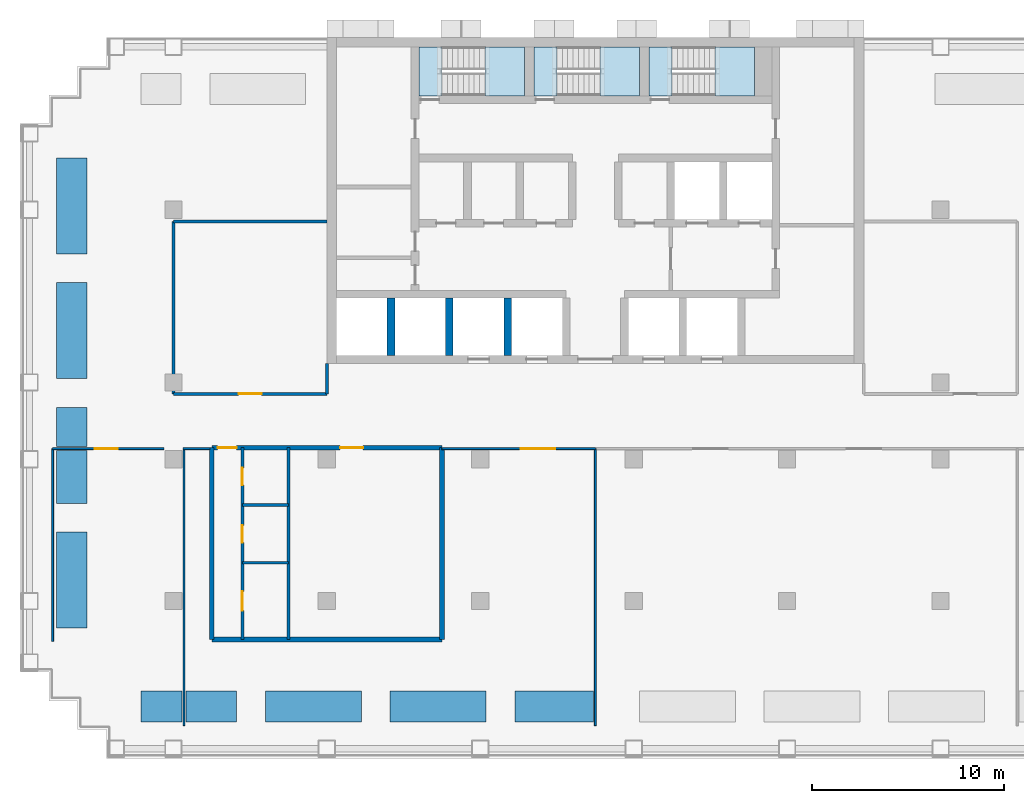
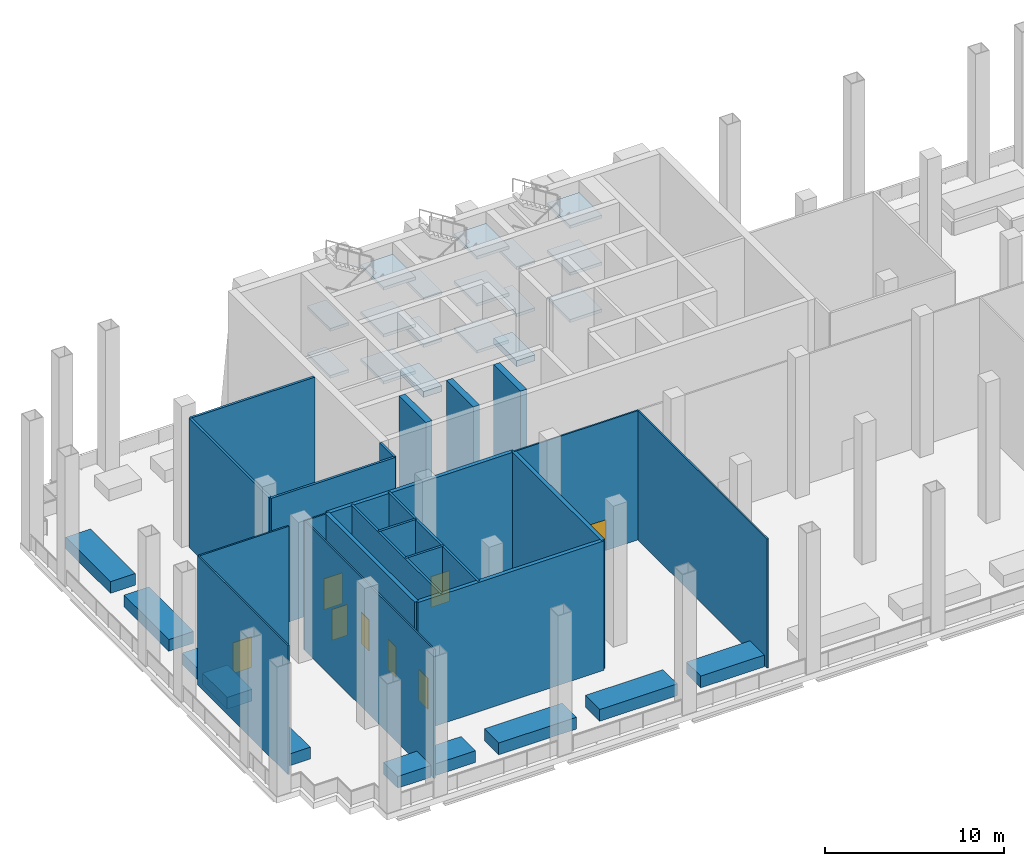
# One storey, part 2 of 9: 31 walls, 17 slabs, 8 doors, 8 openings, 3 elements without a shape of their own.
"""IFC4 building model written with IfcOpenShell, lengths in metres."""

import ifcopenshell
import ifcopenshell.guid

model = None  # the IFC model being written
_history = None  # IfcOwnerHistory: only IFC2X3 demands one
_inside = {}  # id of a spatial element -> (the spatial element, [elements in it])
_under = {}  # id of a project, library or spatial element -> (it, [spatial elements below it])
_declared = {}  # id of a project -> (the project, [libraries it declares])
_typed = {}  # id of a type object -> (the type object, [elements of that type])
_made_of = {}  # id of a material, layer set ... -> (it, [elements and type objects made of it])


def new_model(schema):
    """Start an empty IFC model of exactly this schema.

    Asked for "IFC4X3", IfcOpenShell would pick the latest addendum, in which some entities
    have other attributes; the version numbers below select the first issue.
    IFC2X3 requires an IfcOwnerHistory on every rooted entity: one is made here for all.
    """
    global model, _history
    if schema == "IFC4X3":
        model = ifcopenshell.file(schema_version=(4, 3, 0, 0))
    else:
        model = ifcopenshell.file(schema=schema)
    _inside.clear()
    _under.clear()
    _declared.clear()
    _typed.clear()
    _made_of.clear()
    _history = None
    if model.schema == "IFC2X3":
        org = make("IfcOrganization", Name="unknown")
        user = make(
            "IfcPersonAndOrganization",
            ThePerson=make("IfcPerson", FamilyName="unknown"),
            TheOrganization=org,
        )
        app = make(
            "IfcApplication",
            ApplicationDeveloper=org,
            Version="unknown",
            ApplicationFullName="unknown",
            ApplicationIdentifier="unknown",
        )
        _history = make(
            "IfcOwnerHistory",
            OwningUser=user,
            OwningApplication=app,
            ChangeAction="ADDED",
            CreationDate=0,
        )
    return model


def make(cls, **values):
    """One entity of the class cls with the attributes given. An attribute that is None is left unset."""
    return model.create_entity(
        cls, **{name: value for name, value in values.items() if value is not None}
    )


def rooted(cls, **values):
    """An entity with a GlobalId (a new one), such as an element, a storey or a relation."""
    return make(cls, GlobalId=ifcopenshell.guid.new(), OwnerHistory=_history, **values)


def si_unit(unit_type, name, prefix=None):
    """IfcSIUnit, for example si_unit("LENGTHUNIT", "METRE", prefix="MILLI")."""
    return make("IfcSIUnit", UnitType=unit_type, Prefix=prefix, Name=name)


def assignment(units):
    """IfcUnitAssignment: the units of a project."""
    return None if units is None else make("IfcUnitAssignment", Units=units)


def point(xyz):
    """IfcCartesianPoint."""
    return None if xyz is None else make("IfcCartesianPoint", Coordinates=xyz)


def direction(xyz):
    """IfcDirection."""
    return None if xyz is None else make("IfcDirection", DirectionRatios=xyz)


def frame(location, z_axis=None, x_axis=None):
    """IfcAxis2Placement3D, a coordinate frame: its origin and axes. An axis left out is left unset."""
    return make(
        "IfcAxis2Placement3D",
        Location=point(location),
        Axis=direction(z_axis),
        RefDirection=direction(x_axis),
    )


def frame_2d(location, x_axis=None):
    """IfcAxis2Placement2D, a coordinate frame in the plane: its origin and x axis."""
    return make(
        "IfcAxis2Placement2D", Location=point(location), RefDirection=direction(x_axis)
    )


def origin():
    """The frame at (0, 0, 0) with its axes left unset."""
    return frame((0.0, 0.0, 0.0))


def place(relative_to, where):
    """IfcLocalPlacement: puts the frame where relative to a parent placement (None: the world)."""
    return make(
        "IfcLocalPlacement", PlacementRelTo=relative_to, RelativePlacement=where
    )


def context(
    kind, dimensions, precision=None, world=None, true_north=None, identifier=None
):
    """IfcGeometricRepresentationContext, for example the 3D "Model" context."""
    return make(
        "IfcGeometricRepresentationContext",
        ContextIdentifier=identifier,
        ContextType=kind,
        CoordinateSpaceDimension=dimensions,
        Precision=precision,
        WorldCoordinateSystem=world,
        TrueNorth=true_north,
    )


def subcontext(parent, identifier, kind, view, scale=None):
    """IfcGeometricRepresentationSubContext, for example "Body" below "Model"."""
    return make(
        "IfcGeometricRepresentationSubContext",
        ContextIdentifier=identifier,
        ContextType=kind,
        ParentContext=parent,
        TargetScale=scale,
        TargetView=view,
    )


def project(units=None, contexts=None):
    """IfcProject with its units and contexts."""
    return rooted(
        "IfcProject",
        Name="project",
        RepresentationContexts=contexts,
        UnitsInContext=assignment(units),
    )


def spatial(cls, under=None, at=None, **own):
    """A site, building, storey or space (cls), placed at a placement, below another one or the project."""
    s = rooted(cls, ObjectPlacement=at, **own)
    if under is not None:
        _under.setdefault(under.id(), (under, []))[1].append(s)
    return s


def polyline(points):
    """IfcPolyline through the points."""
    return make("IfcPolyline", Points=[point(p) for p in points])


def profile(cls, at=None, kind="AREA", **sizes):
    """A parametric profile (cls). Its sizes go by their IFC names, for example OverallWidth=200.0."""
    return make(cls, ProfileType=kind, Position=at, **sizes)


def rectangle(**sizes):
    """IfcRectangleProfileDef."""
    return profile("IfcRectangleProfileDef", **sizes)


def outline(outer, holes=None, kind="AREA"):
    """IfcArbitraryClosedProfileDef: a profile drawn as a closed curve; with holes, ...WithVoids."""
    if holes is None:
        return make("IfcArbitraryClosedProfileDef", ProfileType=kind, OuterCurve=outer)
    return make(
        "IfcArbitraryProfileDefWithVoids",
        ProfileType=kind,
        OuterCurve=outer,
        InnerCurves=holes,
    )


def extrude(swept, where, along, depth):
    """IfcExtrudedAreaSolid: the profile swept, set in the frame where, extruded along a direction by depth."""
    return make(
        "IfcExtrudedAreaSolid",
        SweptArea=swept,
        Position=where,
        ExtrudedDirection=direction(along),
        Depth=depth,
    )


def shape(context_of_items, identifier, shape_type, items):
    """IfcShapeRepresentation: the items that make up one representation, for example the "Body"."""
    return make(
        "IfcShapeRepresentation",
        ContextOfItems=context_of_items,
        RepresentationIdentifier=identifier,
        RepresentationType=shape_type,
        Items=items,
    )


def material(Name=None, Category=None):
    """IfcMaterial."""
    return make("IfcMaterial", Name=Name, Category=Category)


def layer(
    of_material, thickness, ventilated=None, Name=None, Category=None, Priority=None
):
    """IfcMaterialLayer: one layer of a wall or slab, of a material (None: an air gap)."""
    return make(
        "IfcMaterialLayer",
        Material=of_material,
        LayerThickness=thickness,
        IsVentilated=ventilated,
        Name=Name,
        Category=Category,
        Priority=Priority,
    )


def layer_set(layers, Name=None):
    """IfcMaterialLayerSet."""
    return make("IfcMaterialLayerSet", MaterialLayers=layers, LayerSetName=Name)


def made_of(thing, what):
    """Note that an element or type object is made of a material, layer set ...; save() writes the relation."""
    if what is not None:
        _made_of.setdefault(what.id(), (what, []))[1].append(thing)
    return thing


def type_object(cls, material=None, **own):
    """A type object (cls), such as IfcWallType, which elements share."""
    return made_of(rooted(cls, **own), material)


def element(
    cls,
    number,
    at=None,
    inside=None,
    cuts=None,
    type_object=None,
    material=None,
    context=None,
    identifier="Body",
    shape_type=None,
    held_by="IfcProductDefinitionShape",
    body=None,
    shapes=None,
    **own,
):
    """One element of the class cls, such as IfcWall. Its Tag is "e" and its number.

    at: its placement. inside: the storey or other place that contains it. cuts: it is an
    opening in that element (IfcRelVoidsElement). A single representation is given by context,
    identifier, shape_type and body (its items); several are given by shapes. held_by: the class
    of the entity that holds the representations. save() writes the other relations.
    """
    e = rooted(cls, Tag="e%d" % number, ObjectPlacement=at, **own)
    if body is not None:
        shapes = [shape(context, identifier, shape_type, body)]
    if shapes is not None:
        e.Representation = make(held_by, Representations=shapes)
    if inside is not None:
        _inside.setdefault(inside.id(), (inside, []))[1].append(e)
    if cuts is not None:
        rooted(
            "IfcRelVoidsElement", RelatingBuildingElement=cuts, RelatedOpeningElement=e
        )
    if type_object is not None:
        _typed.setdefault(type_object.id(), (type_object, []))[1].append(e)
    return made_of(e, material)


def fill(opening, filler):
    """IfcRelFillsElement: the door or window that sits in an opening."""
    return rooted(
        "IfcRelFillsElement",
        RelatingOpeningElement=opening,
        RelatedBuildingElement=filler,
    )


def aggregate(whole, parts):
    """IfcRelAggregates: a whole, such as a stair, and the parts it consists of."""
    return rooted("IfcRelAggregates", RelatingObject=whole, RelatedObjects=parts)


def save(model, path):
    """Write the relations noted so far, then the file.

    IfcRelAggregates (storeys below a building ...), IfcRelContainedInSpatialStructure (elements
    in a storey), IfcRelDefinesByType, IfcRelAssociatesMaterial and IfcRelDeclares: one each for
    every whole, place, type object, material and project.
    """
    for whole, parts in _under.values():
        aggregate(whole, parts)
    for where, things in _inside.values():
        rooted(
            "IfcRelContainedInSpatialStructure",
            RelatedElements=things,
            RelatingStructure=where,
        )
    for kind, things in _typed.values():
        rooted("IfcRelDefinesByType", RelatedObjects=things, RelatingType=kind)
    for what, things in _made_of.values():
        rooted("IfcRelAssociatesMaterial", RelatedObjects=things, RelatingMaterial=what)
    for by, libraries in _declared.values():
        rooted("IfcRelDeclares", RelatingContext=by, RelatedDefinitions=libraries)
    model.write(path)


model = new_model("IFC4")

# Units and contexts
model_context = context("Model", 3, precision=1e-05, world=origin(), true_north=direction((0.0, 1.0)))
body_context = subcontext(model_context, "Body", "Model", "MODEL_VIEW")
ifc_project = project(units=[si_unit("LENGTHUNIT", "METRE"), si_unit("AREAUNIT", "SQUARE_METRE"), si_unit("VOLUMEUNIT", "CUBIC_METRE"), si_unit("PLANEANGLEUNIT", "RADIAN"), si_unit("MASSUNIT", "GRAM", prefix="KILO")], contexts=[model_context])

# Site, building, storey
site_placement = place(None, origin())
site = spatial("IfcSite", under=ifc_project, at=site_placement, CompositionType="ELEMENT")
building_placement = place(site_placement, origin())
building = spatial("IfcBuilding", under=site, at=building_placement, Name="Vidyagriha Tower", CompositionType="ELEMENT")
storey_placement = place(building_placement, frame((0.0, 0.0, 106.300048828125)))
storey = spatial("IfcBuildingStorey", under=building, at=storey_placement, Name="L28", CompositionType="ELEMENT", Elevation=106.300048828125)

# Slabs
ifc_material_1 = material(Name="Concrete C40/50", Category="concrete")
ifc_layer_1 = layer(ifc_material_1, 0.39990234375)
ifc_layer_set_1 = layer_set([ifc_layer_1], Name="Concrete C40/50")
slab_type_1 = type_object("IfcSlabType", Name="Exit stair floor landing 400 mm", PredefinedType="LANDING", material=ifc_layer_set_1)
slab_1_placement = place(storey_placement, frame((0.0, 0.0, -0.400146484375)))
element("IfcSlab", 1, at=slab_1_placement, inside=storey, type_object=slab_type_1, Name="ST2 floor landing L28", PredefinedType="LANDING", context=body_context, shape_type="SweptSolid", body=[
    extrude(outline(polyline([(-3.199951171875, 16.949951171875), (-2.0, 16.949951171875), (-2.0, 19.5), (-3.199951171875, 19.5), (-3.199951171875, 16.949951171875)])), origin(), (0.0, 0.0, 1.0), 0.400146484375),
])
slab_2_placement = place(storey_placement, frame((0.0, 0.0, -0.400146484375)))
element("IfcSlab", 2, at=slab_2_placement, inside=storey, type_object=slab_type_1, Name="ST3 floor landing L28", PredefinedType="LANDING", context=body_context, shape_type="SweptSolid", body=[
    extrude(outline(polyline([(2.800048828125, 16.949951171875), (4.0, 16.949951171875), (4.0, 19.5), (2.800048828125, 19.5), (2.800048828125, 16.949951171875)])), origin(), (0.0, 0.0, 1.0), 0.400146484375),
])

# Stair, slabs
ifc_material_2 = material(Name="Concrete C40/50", Category="concrete")
stair_type = type_object("IfcStairType", Name="Exit stair, half-turn, precast flights", PredefinedType="HALF_TURN_STAIR", material=ifc_material_2)
stair_1_placement = place(storey_placement, origin())
stair_1 = element("IfcStair", 3, at=stair_1_placement, inside=storey, type_object=stair_type, Name="L28 Exit Stair ST1", PredefinedType="HALF_TURN_STAIR")
ifc_material_3 = material(Name="Concrete C40/50", Category="concrete")
ifc_layer_2 = layer(ifc_material_3, 0.199951171875)
ifc_layer_set_2 = layer_set([ifc_layer_2], Name="Concrete C40/50")
slab_type_2 = type_object("IfcSlabType", Name="Exit stair landing 200 mm", PredefinedType="LANDING", material=ifc_layer_set_2)
slab_3_placement = place(storey_placement, frame((0.0, 0.0, 1.39990234375)))
slab_3 = element("IfcSlab", 4, at=slab_3_placement, type_object=slab_type_2, Name="ST1 landing 1", PredefinedType="LANDING", context=body_context, shape_type="SweptSolid", body=[
    extrude(outline(polyline([(-5.760009765625, 16.949951171875), (-3.699951171875, 16.949951171875), (-3.699951171875, 19.5), (-5.760009765625, 19.5), (-5.760009765625, 16.949951171875)])), origin(), (0.0, 0.0, 1.0), 0.199951171875),
])
slab_4_placement = place(storey_placement, frame((0.0, 0.0, 3.0)))
slab_4 = element("IfcSlab", 5, at=slab_4_placement, type_object=slab_type_2, Name="ST1 landing 2", PredefinedType="LANDING", context=body_context, shape_type="SweptSolid", body=[
    extrude(outline(polyline([(-9.199951171875, 16.949951171875), (-8.0, 16.949951171875), (-8.0, 19.5), (-9.199951171875, 19.5), (-9.199951171875, 16.949951171875)])), origin(), (0.0, 0.0, 1.0), 0.199951171875),
])
slab_5_placement = place(storey_placement, frame((0.0, 0.0, 4.599853515625)))
slab_5 = element("IfcSlab", 6, at=slab_5_placement, type_object=slab_type_2, Name="ST1 landing 3", PredefinedType="LANDING", context=body_context, shape_type="SweptSolid", body=[
    extrude(outline(polyline([(-5.760009765625, 16.949951171875), (-3.699951171875, 16.949951171875), (-3.699951171875, 19.5), (-5.760009765625, 19.5), (-5.760009765625, 16.949951171875)])), origin(), (0.0, 0.0, 1.0), 0.2001953125),
])
slab_6_placement = place(storey_placement, frame((0.0, 0.0, 6.199951171875)))
slab_6 = element("IfcSlab", 7, at=slab_6_placement, type_object=slab_type_2, Name="ST1 landing 4", PredefinedType="LANDING", context=body_context, shape_type="SweptSolid", body=[
    extrude(outline(polyline([(-9.199951171875, 16.949951171875), (-8.0, 16.949951171875), (-8.0, 19.5), (-9.199951171875, 19.5), (-9.199951171875, 16.949951171875)])), origin(), (0.0, 0.0, 1.0), 0.199951171875),
])
slab_7_placement = place(storey_placement, frame((0.0, 0.0, 7.800048828125)))
slab_7 = element("IfcSlab", 8, at=slab_7_placement, type_object=slab_type_2, Name="ST1 landing 5", PredefinedType="LANDING", context=body_context, shape_type="SweptSolid", body=[
    extrude(outline(polyline([(-5.760009765625, 16.949951171875), (-3.699951171875, 16.949951171875), (-3.699951171875, 19.5), (-5.760009765625, 19.5), (-5.760009765625, 16.949951171875)])), origin(), (0.0, 0.0, 1.0), 0.199951171875),
])
aggregate(stair_1, [slab_3, slab_4, slab_5, slab_6, slab_7])

stair_2_placement = place(storey_placement, origin())
stair_2 = element("IfcStair", 9, at=stair_2_placement, inside=storey, type_object=stair_type, Name="L28 Exit Stair ST2", PredefinedType="HALF_TURN_STAIR")
slab_8_placement = place(storey_placement, frame((0.0, 0.0, 1.39990234375)))
slab_8 = element("IfcSlab", 10, at=slab_8_placement, type_object=slab_type_2, Name="ST2 landing 1", PredefinedType="LANDING", context=body_context, shape_type="SweptSolid", body=[
    extrude(outline(polyline([(0.239990234375, 16.949951171875), (2.300048828125, 16.949951171875), (2.300048828125, 19.5), (0.239990234375, 19.5), (0.239990234375, 16.949951171875)])), origin(), (0.0, 0.0, 1.0), 0.199951171875),
])
slab_9_placement = place(storey_placement, frame((0.0, 0.0, 3.0)))
slab_9 = element("IfcSlab", 11, at=slab_9_placement, type_object=slab_type_2, Name="ST2 landing 2", PredefinedType="LANDING", context=body_context, shape_type="SweptSolid", body=[
    extrude(outline(polyline([(-3.199951171875, 16.949951171875), (-2.0, 16.949951171875), (-2.0, 19.5), (-3.199951171875, 19.5), (-3.199951171875, 16.949951171875)])), origin(), (0.0, 0.0, 1.0), 0.199951171875),
])
slab_10_placement = place(storey_placement, frame((0.0, 0.0, 4.599853515625)))
slab_10 = element("IfcSlab", 12, at=slab_10_placement, type_object=slab_type_2, Name="ST2 landing 3", PredefinedType="LANDING", context=body_context, shape_type="SweptSolid", body=[
    extrude(outline(polyline([(0.239990234375, 16.949951171875), (2.300048828125, 16.949951171875), (2.300048828125, 19.5), (0.239990234375, 19.5), (0.239990234375, 16.949951171875)])), origin(), (0.0, 0.0, 1.0), 0.2001953125),
])
slab_11_placement = place(storey_placement, frame((0.0, 0.0, 6.199951171875)))
slab_11 = element("IfcSlab", 13, at=slab_11_placement, type_object=slab_type_2, Name="ST2 landing 4", PredefinedType="LANDING", context=body_context, shape_type="SweptSolid", body=[
    extrude(outline(polyline([(-3.199951171875, 16.949951171875), (-2.0, 16.949951171875), (-2.0, 19.5), (-3.199951171875, 19.5), (-3.199951171875, 16.949951171875)])), origin(), (0.0, 0.0, 1.0), 0.199951171875),
])
slab_12_placement = place(storey_placement, frame((0.0, 0.0, 7.800048828125)))
slab_12 = element("IfcSlab", 14, at=slab_12_placement, type_object=slab_type_2, Name="ST2 landing 5", PredefinedType="LANDING", context=body_context, shape_type="SweptSolid", body=[
    extrude(outline(polyline([(0.239990234375, 16.949951171875), (2.300048828125, 16.949951171875), (2.300048828125, 19.5), (0.239990234375, 19.5), (0.239990234375, 16.949951171875)])), origin(), (0.0, 0.0, 1.0), 0.199951171875),
])
aggregate(stair_2, [slab_8, slab_9, slab_10, slab_11, slab_12])

stair_3_placement = place(storey_placement, origin())
stair_3 = element("IfcStair", 15, at=stair_3_placement, inside=storey, type_object=stair_type, Name="L28 Exit Stair ST3", PredefinedType="HALF_TURN_STAIR")
slab_13_placement = place(storey_placement, frame((0.0, 0.0, 1.39990234375)))
slab_13 = element("IfcSlab", 16, at=slab_13_placement, type_object=slab_type_2, Name="ST3 landing 1", PredefinedType="LANDING", context=body_context, shape_type="SweptSolid", body=[
    extrude(outline(polyline([(6.239990234375, 16.949951171875), (8.300048828125, 16.949951171875), (8.300048828125, 19.5), (6.239990234375, 19.5), (6.239990234375, 16.949951171875)])), origin(), (0.0, 0.0, 1.0), 0.199951171875),
])
slab_14_placement = place(storey_placement, frame((0.0, 0.0, 3.0)))
slab_14 = element("IfcSlab", 17, at=slab_14_placement, type_object=slab_type_2, Name="ST3 landing 2", PredefinedType="LANDING", context=body_context, shape_type="SweptSolid", body=[
    extrude(outline(polyline([(2.800048828125, 16.949951171875), (4.0, 16.949951171875), (4.0, 19.5), (2.800048828125, 19.5), (2.800048828125, 16.949951171875)])), origin(), (0.0, 0.0, 1.0), 0.199951171875),
])
slab_15_placement = place(storey_placement, frame((0.0, 0.0, 4.599853515625)))
slab_15 = element("IfcSlab", 18, at=slab_15_placement, type_object=slab_type_2, Name="ST3 landing 3", PredefinedType="LANDING", context=body_context, shape_type="SweptSolid", body=[
    extrude(outline(polyline([(6.239990234375, 16.949951171875), (8.300048828125, 16.949951171875), (8.300048828125, 19.5), (6.239990234375, 19.5), (6.239990234375, 16.949951171875)])), origin(), (0.0, 0.0, 1.0), 0.2001953125),
])
slab_16_placement = place(storey_placement, frame((0.0, 0.0, 6.199951171875)))
slab_16 = element("IfcSlab", 19, at=slab_16_placement, type_object=slab_type_2, Name="ST3 landing 4", PredefinedType="LANDING", context=body_context, shape_type="SweptSolid", body=[
    extrude(outline(polyline([(2.800048828125, 16.949951171875), (4.0, 16.949951171875), (4.0, 19.5), (2.800048828125, 19.5), (2.800048828125, 16.949951171875)])), origin(), (0.0, 0.0, 1.0), 0.199951171875),
])
slab_17_placement = place(storey_placement, frame((0.0, 0.0, 7.800048828125)))
slab_17 = element("IfcSlab", 20, at=slab_17_placement, type_object=slab_type_2, Name="ST3 landing 5", PredefinedType="LANDING", context=body_context, shape_type="SweptSolid", body=[
    extrude(outline(polyline([(6.239990234375, 16.949951171875), (8.300048828125, 16.949951171875), (8.300048828125, 19.5), (6.239990234375, 19.5), (6.239990234375, 16.949951171875)])), origin(), (0.0, 0.0, 1.0), 0.199951171875),
])
aggregate(stair_3, [slab_13, slab_14, slab_15, slab_16, slab_17])

# Walls
ifc_material_4 = material(Name="Precast concrete C40/50 with brick facing", Category="concrete")
ifc_layer_3 = layer(ifc_material_4, 1.60009765625)
ifc_layer_set_3 = layer_set([ifc_layer_3], Name="Precast concrete C40/50 with brick facing")
wall_type_1 = type_object("IfcWallType", Name="Brick planter box 1600", PredefinedType="STANDARD", material=ifc_layer_set_3)
for number, where, z_axis, x_axis, name in (
    (21, (-27.300048828125, 13.699951171875, 0.0), (0.0, 0.0, 1.0), (0.0, -1.0, 0.0), "PLANTER L28 6"),
    (22, (-27.300048828125, 7.199951171875, 0.0), (0.0, 0.0, 1.0), (0.0, -1.0, 0.0), "PLANTER L28 7"),
    (23, (-27.300048828125, -5.800048828125, 0.0), (0.0, 0.0, 1.0), (0.0, -1.0, 0.0), "PLANTER L28 9"),
):
    element("IfcWall", number, at=place(storey_placement, frame(where, z_axis=z_axis, x_axis=x_axis)), inside=storey, type_object=wall_type_1, Name=name, PredefinedType="STANDARD", context=body_context, shape_type="SweptSolid", body=[
        extrude(rectangle(XDim=5.0, YDim=1.60009765625, at=frame_2d((2.5, 0.0))), origin(), (0.0, 0.0, 1.0), 0.800048828125),
    ])
for number, where, name in (
    (24, (-17.199951171875, -14.89990234375, 0.0), "PLANTER L28 11"),
    (25, (-10.699951171875, -14.89990234375, 0.0), "PLANTER L28 12"),
):
    element("IfcWall", number, at=place(storey_placement, frame(where)), inside=storey, type_object=wall_type_1, Name=name, PredefinedType="STANDARD", context=body_context, shape_type="SweptSolid", body=[
        extrude(rectangle(XDim=5.0, YDim=1.60009765625, at=frame_2d((2.5, 0.0))), origin(), (0.0, 0.0, 1.0), 0.800048828125),
    ])
wall_1_placement = place(storey_placement, frame((-27.300048828125, 0.699951171875, 0.0), z_axis=(0.0, 0.0, 1.0), x_axis=(0.0, -1.0, 0.0)))
element("IfcWall", 26, at=wall_1_placement, inside=storey, type_object=wall_type_1, Name="PLANTER L28 8", PredefinedType="STANDARD", context=body_context, shape_type="SweptSolid", body=[
    extrude(rectangle(XDim=2.050048828125, YDim=1.60009765625, at=frame_2d((1.02490234375, 0.0))), origin(), (0.0, 0.0, 1.0), 0.800048828125),
])
wall_2_placement = place(storey_placement, frame((-27.300048828125, -1.550048828125, 0.0), z_axis=(0.0, 0.0, 1.0), x_axis=(0.0, -1.0, 0.0)))
element("IfcWall", 27, at=wall_2_placement, inside=storey, type_object=wall_type_1, Name="PLANTER L28 8", PredefinedType="STANDARD", context=body_context, shape_type="SweptSolid", body=[
    extrude(rectangle(XDim=2.75, YDim=1.60009765625, at=frame_2d((1.375, 0.0))), origin(), (0.0, 0.0, 1.0), 0.800048828125),
])
wall_3_placement = place(storey_placement, frame((-23.699951171875, -14.89990234375, 0.0)))
element("IfcWall", 28, at=wall_3_placement, inside=storey, type_object=wall_type_1, Name="PLANTER L28 10", PredefinedType="STANDARD", context=body_context, shape_type="SweptSolid", body=[
    extrude(rectangle(XDim=2.14990234375, YDim=1.60009765625, at=frame_2d((1.074951171875, 0.0))), origin(), (0.0, 0.0, 1.0), 0.800048828125),
])
wall_4_placement = place(storey_placement, frame((-21.35009765625, -14.89990234375, 0.0)))
element("IfcWall", 29, at=wall_4_placement, inside=storey, type_object=wall_type_1, Name="PLANTER L28 10", PredefinedType="STANDARD", context=body_context, shape_type="SweptSolid", body=[
    extrude(rectangle(XDim=2.650146484375, YDim=1.60009765625, at=frame_2d((1.3251953125, 0.0))), origin(), (0.0, 0.0, 1.0), 0.800048828125),
])
wall_5_placement = place(storey_placement, frame((-4.199951171875, -14.89990234375, 0.0)))
element("IfcWall", 30, at=wall_5_placement, inside=storey, type_object=wall_type_1, Name="PLANTER L28 13", PredefinedType="STANDARD", context=body_context, shape_type="SweptSolid", body=[
    extrude(rectangle(XDim=4.099853515625, YDim=1.60009765625, at=frame_2d((2.0498046875, 0.0))), origin(), (0.0, 0.0, 1.0), 0.800048828125),
])
ifc_material_5 = material(Name="Concrete C60/75", Category="concrete")
ifc_layer_4 = layer(ifc_material_5, 0.39990234375)
ifc_layer_set_4 = layer_set([ifc_layer_4], Name="Concrete C60/75")
wall_type_2 = type_object("IfcWallType", Name="Core shear wall 400 mm", PredefinedType="SHEAR", material=ifc_layer_set_4)
for number, where, z_axis, x_axis, name in (
    (31, (-10.655517578125, 3.39990234375, 0.0), (0.0, 0.0, 1.0), (0.0, 1.0, 0.0), "Core bay wall S1"),
    (32, (-7.611083984375, 3.39990234375, 0.0), (0.0, 0.0, 1.0), (0.0, 1.0, 0.0), "Core bay wall S2"),
    (33, (-4.566650390625, 3.39990234375, 0.0), (0.0, 0.0, 1.0), (0.0, 1.0, 0.0), "Core bay wall S3"),
):
    element("IfcWall", number, at=place(storey_placement, frame(where, z_axis=z_axis, x_axis=x_axis)), inside=storey, type_object=wall_type_2, Name=name, PredefinedType="SHEAR", context=body_context, shape_type="SweptSolid", body=[
        extrude(rectangle(XDim=3.0, YDim=0.39990234375, at=frame_2d((1.5, 0.0))), origin(), (0.0, 0.0, 1.0), 8.800048828125),
    ])
ifc_material_6 = material(Name="Fired clay brick masonry", Category="masonry")
ifc_layer_5 = layer(ifc_material_6, 0.25)
ifc_layer_set_5 = layer_set([ifc_layer_5], Name="Fired clay brick masonry")
wall_type_3 = type_object("IfcWallType", Name="Fired clay brick corridor wall 250", PredefinedType="PARTITIONING", material=ifc_layer_set_5)
wall_6_placement = place(storey_placement, frame((-20.0, -11.39990234375, 0.0)))
element("IfcWall", 34, at=wall_6_placement, inside=storey, type_object=wall_type_3, Name="Wall all-L28-w001", PredefinedType="PARTITIONING", context=body_context, shape_type="SweptSolid", body=[
    extrude(rectangle(XDim=12.0, YDim=0.25, at=frame_2d((6.0, 0.0))), origin(), (0.0, 0.0, 1.0), 8.800048828125),
])
for number, where, z_axis, x_axis, name in (
    (35, (-20.0, -1.39990234375, 0.0), (0.0, 0.0, 1.0), (0.0, -1.0, 0.0), "Wall all-L28-w002"),
    (36, (-8.0, -11.39990234375, 0.0), (0.0, 0.0, 1.0), (0.0, 1.0, 0.0), "Wall all-L28-w003"),
):
    element("IfcWall", number, at=place(storey_placement, frame(where, z_axis=z_axis, x_axis=x_axis)), inside=storey, type_object=wall_type_3, Name=name, PredefinedType="PARTITIONING", context=body_context, shape_type="SweptSolid", body=[
        extrude(rectangle(XDim=10.0, YDim=0.25, at=frame_2d((5.0, 0.0))), origin(), (0.0, 0.0, 1.0), 8.800048828125),
    ])

# Wall, openings, doors
wall_7_placement = place(storey_placement, frame((-8.0, -1.39990234375, 0.0), z_axis=(0.0, 0.0, 1.0), x_axis=(-1.0, 0.0, 0.0)))
wall_7 = element("IfcWall", 37, at=wall_7_placement, inside=storey, type_object=wall_type_3, Name="Wall all-L28-w004", PredefinedType="PARTITIONING", context=body_context, shape_type="SweptSolid", body=[
    extrude(rectangle(XDim=12.0, YDim=0.25, at=frame_2d((6.0, 0.0))), origin(), (0.0, 0.0, 1.0), 8.800048828125),
])
opening_1_placement = place(wall_7_placement, frame((10.699951171875, 0.0, 0.0)))
opening_1 = element("IfcOpeningElement", 38, at=opening_1_placement, cuts=wall_7, Name="Opening D28-15", PredefinedType="OPENING", context=body_context, shape_type="SweptSolid", body=[
    extrude(rectangle(XDim=1.0, YDim=2.10009765625, at=frame_2d((0.5, 1.050048828125))), frame((0.0, 0.135009765625, 0.0), z_axis=(0.0, -1.0, 0.0), x_axis=(1.0, 0.0, 0.0)), (0.0, 0.0, 1.0), 0.27001953125),
])
opening_2_placement = place(wall_7_placement, frame((4.111083984375, 0.0, 0.0)))
opening_2 = element("IfcOpeningElement", 39, at=opening_2_placement, cuts=wall_7, Name="Opening D28-16", PredefinedType="OPENING", context=body_context, shape_type="SweptSolid", body=[
    extrude(rectangle(XDim=1.199951171875, YDim=2.10009765625, at=frame_2d((0.60009765625, 1.050048828125))), frame((0.0, 0.135009765625, 0.0), z_axis=(0.0, -1.0, 0.0), x_axis=(1.0, 0.0, 0.0)), (0.0, 0.0, 1.0), 0.27001953125),
])
ifc_material_7 = material(Name="Timber door leaf", Category="wood")
door_type_1 = type_object("IfcDoorType", Name="Bathroom door 1000x2100", OperationType="NOTDEFINED", PredefinedType="DOOR", material=ifc_material_7)
door_1_placement = place(opening_1_placement, origin())
door_1 = element("IfcDoor", 40, at=door_1_placement, inside=storey, type_object=door_type_1, Name="Door D28-15", OperationType="SINGLE_SWING_LEFT", OverallHeight=2.10009765625, OverallWidth=1.0, PredefinedType="DOOR", context=body_context, shape_type="SweptSolid", body=[
    extrude(rectangle(XDim=1.0, YDim=2.10009765625, at=frame_2d((0.5, 1.050048828125))), frame((0.0, 0.02490234375, 0.0), z_axis=(0.0, -1.0, 0.0), x_axis=(1.0, 0.0, 0.0)), (0.0, 0.0, 1.0), 0.050048828125),
])
fill(opening_1, door_1)
ifc_material_8 = material(Name="Timber door leaf", Category="wood")
door_type_2 = type_object("IfcDoorType", Name="Room door 1200x2100", OperationType="NOTDEFINED", PredefinedType="DOOR", material=ifc_material_8)
door_2_placement = place(opening_2_placement, origin())
door_2 = element("IfcDoor", 41, at=door_2_placement, inside=storey, type_object=door_type_2, Name="Door D28-16", OperationType="SINGLE_SWING_RIGHT", OverallHeight=2.10009765625, OverallWidth=1.199951171875, PredefinedType="DOOR", context=body_context, shape_type="SweptSolid", body=[
    extrude(rectangle(XDim=1.199951171875, YDim=2.10009765625, at=frame_2d((0.60009765625, 1.050048828125))), frame((0.0, 0.02490234375, 0.0), z_axis=(0.0, -1.0, 0.0), x_axis=(1.0, 0.0, 0.0)), (0.0, 0.0, 1.0), 0.050048828125),
])
fill(opening_2, door_2)

# Wall, opening, door
ifc_material_9 = material(Name="Glass clear low-iron", Category="glass")
ifc_layer_6 = layer(ifc_material_9, 0.10009765625)
ifc_layer_set_6 = layer_set([ifc_layer_6], Name="Glass clear low-iron")
wall_type_4 = type_object("IfcWallType", Name="Glazed partition 100", PredefinedType="PARTITIONING", material=ifc_layer_set_6)
wall_8_placement = place(storey_placement, frame((-28.300048828125, -1.449951171875, 0.0)))
wall_8 = element("IfcWall", 42, at=wall_8_placement, inside=storey, type_object=wall_type_4, Name="Wall all-L28-w024", PredefinedType="PARTITIONING", context=body_context, shape_type="SweptSolid", body=[
    extrude(rectangle(XDim=5.800048828125, YDim=0.10009765625, at=frame_2d((2.89990234375, 0.0))), origin(), (0.0, 0.0, 1.0), 8.800048828125),
])
opening_3_placement = place(wall_8_placement, frame((2.199951171875, 0.0, 0.0)))
opening_3 = element("IfcOpeningElement", 43, at=opening_3_placement, cuts=wall_8, Name="Opening D28-22", PredefinedType="OPENING", context=body_context, shape_type="SweptSolid", body=[
    extrude(rectangle(XDim=1.199951171875, YDim=2.10009765625, at=frame_2d((0.60009765625, 1.050048828125))), frame((0.0, 0.06005859375, 0.0), z_axis=(0.0, -1.0, 0.0), x_axis=(1.0, 0.0, 0.0)), (0.0, 0.0, 1.0), 0.1201171875),
])
door_3_placement = place(opening_3_placement, origin())
door_3 = element("IfcDoor", 44, at=door_3_placement, inside=storey, type_object=door_type_2, Name="Door D28-22", OperationType="SINGLE_SWING_LEFT", OverallHeight=2.10009765625, OverallWidth=1.199951171875, PredefinedType="DOOR", context=body_context, shape_type="SweptSolid", body=[
    extrude(rectangle(XDim=1.199951171875, YDim=2.10009765625, at=frame_2d((0.60009765625, 1.050048828125))), frame((0.0, 0.02490234375, 0.0), z_axis=(0.0, -1.0, 0.0), x_axis=(1.0, 0.0, 0.0)), (0.0, 0.0, 1.0), 0.050048828125),
])
fill(opening_3, door_3)

# Wall
wall_9_placement = place(storey_placement, frame((-21.5, -1.449951171875, 0.0)))
element("IfcWall", 45, at=wall_9_placement, inside=storey, type_object=wall_type_4, Name="Wall all-L28-w025", PredefinedType="PARTITIONING", context=body_context, shape_type="SweptSolid", body=[
    extrude(rectangle(XDim=1.39990234375, YDim=0.10009765625, at=frame_2d((0.699951171875, 0.0))), origin(), (0.0, 0.0, 1.0), 8.800048828125),
])

# Wall, opening, door
wall_10_placement = place(storey_placement, frame((-8.0, -1.449951171875, 0.0)))
wall_10 = element("IfcWall", 46, at=wall_10_placement, inside=storey, type_object=wall_type_4, Name="Wall all-L28-w026", PredefinedType="PARTITIONING", context=body_context, shape_type="SweptSolid", body=[
    extrude(rectangle(XDim=8.0, YDim=0.10009765625, at=frame_2d((4.0, 0.0))), origin(), (0.0, 0.0, 1.0), 8.800048828125),
])
opening_4_placement = place(wall_10_placement, frame((4.10009765625, 0.0, 0.0)))
opening_4 = element("IfcOpeningElement", 47, at=opening_4_placement, cuts=wall_10, Name="Opening D28-23", PredefinedType="OPENING", context=body_context, shape_type="SweptSolid", body=[
    extrude(rectangle(XDim=1.800048828125, YDim=2.10009765625, at=frame_2d((0.89990234375, 1.050048828125))), frame((0.0, 0.06005859375, 0.0), z_axis=(0.0, -1.0, 0.0), x_axis=(1.0, 0.0, 0.0)), (0.0, 0.0, 1.0), 0.1201171875),
])
ifc_material_10 = material(Name="Timber door leaf", Category="wood")
door_type_3 = type_object("IfcDoorType", Name="Room door 1800x2100", OperationType="NOTDEFINED", PredefinedType="DOOR", material=ifc_material_10)
door_4_placement = place(opening_4_placement, origin())
door_4 = element("IfcDoor", 48, at=door_4_placement, inside=storey, type_object=door_type_3, Name="Door D28-23", OperationType="DOUBLE_DOOR_SINGLE_SWING", OverallHeight=2.10009765625, OverallWidth=1.800048828125, PredefinedType="DOOR", context=body_context, shape_type="SweptSolid", body=[
    extrude(rectangle(XDim=1.800048828125, YDim=2.10009765625, at=frame_2d((0.89990234375, 1.050048828125))), frame((0.0, 0.02490234375, 0.0), z_axis=(0.0, -1.0, 0.0), x_axis=(1.0, 0.0, 0.0)), (0.0, 0.0, 1.0), 0.050048828125),
])
fill(opening_4, door_4)

# Walls
for number, where, z_axis, x_axis, name in (
    (49, (0.0, -1.449951171875, 0.0), (0.0, 0.0, 1.0), (0.0, -1.0, 0.0), "Wall all-L28-w036"),
    (50, (-21.449951171875, -1.449951171875, 0.0), (0.0, 0.0, 1.0), (0.0, -1.0, 0.0), "Wall all-L28-w037"),
):
    element("IfcWall", number, at=place(storey_placement, frame(where, z_axis=z_axis, x_axis=x_axis)), inside=storey, type_object=wall_type_4, Name=name, PredefinedType="PARTITIONING", context=body_context, shape_type="SweptSolid", body=[
        extrude(rectangle(XDim=14.449951171875, YDim=0.10009765625, at=frame_2d((7.22509765625, 0.0))), origin(), (0.0, 0.0, 1.0), 8.800048828125),
    ])
wall_11_placement = place(storey_placement, frame((-28.300048828125, -1.449951171875, 0.0), z_axis=(0.0, 0.0, 1.0), x_axis=(0.0, -1.0, 0.0)))
element("IfcWall", 51, at=wall_11_placement, inside=storey, type_object=wall_type_4, Name="Wall all-L28-w038", PredefinedType="PARTITIONING", context=body_context, shape_type="SweptSolid", body=[
    extrude(rectangle(XDim=10.051025390625, YDim=0.10009765625, at=frame_2d((5.025390625, 0.0))), origin(), (0.0, 0.0, 1.0), 8.800048828125),
])
ifc_material_11 = material(Name="Gypsum board partition")
ifc_layer_7 = layer(ifc_material_11, 0.14990234375)
ifc_layer_set_7 = layer_set([ifc_layer_7], Name="Gypsum board partition")
wall_type_5 = type_object("IfcWallType", Name="Gypsum board partition 150", PredefinedType="PARTITIONING", material=ifc_layer_set_7)
wall_12_placement = place(storey_placement, frame((-16.0, -1.39990234375, 0.0), z_axis=(0.0, 0.0, 1.0), x_axis=(0.0, -1.0, 0.0)))
element("IfcWall", 52, at=wall_12_placement, inside=storey, type_object=wall_type_5, Name="Wall all-L28-w008", PredefinedType="PARTITIONING", context=body_context, shape_type="SweptSolid", body=[
    extrude(rectangle(XDim=10.0, YDim=0.14990234375, at=frame_2d((5.0, 0.0))), origin(), (0.0, 0.0, 1.0), 8.800048828125),
])
for number, where, name in (
    (53, (-18.39990234375, -4.39990234375, 0.0), "Wall all-L28-w009"),
    (54, (-18.39990234375, -7.39990234375, 0.0), "Wall all-L28-w010"),
):
    element("IfcWall", number, at=place(storey_placement, frame(where)), inside=storey, type_object=wall_type_5, Name=name, PredefinedType="PARTITIONING", context=body_context, shape_type="SweptSolid", body=[
        extrude(rectangle(XDim=2.39990234375, YDim=0.14990234375, at=frame_2d((1.199951171875, 0.0))), origin(), (0.0, 0.0, 1.0), 8.800048828125),
    ])
wall_13_placement = place(storey_placement, frame((-22.0, 10.39990234375, 0.0), z_axis=(0.0, 0.0, 1.0), x_axis=(0.0, -1.0, 0.0)))
element("IfcWall", 55, at=wall_13_placement, inside=storey, type_object=wall_type_5, Name="Wall all-L28-w014", PredefinedType="PARTITIONING", context=body_context, shape_type="SweptSolid", body=[
    extrude(rectangle(XDim=9.0, YDim=0.14990234375, at=frame_2d((4.5, 0.0))), origin(), (0.0, 0.0, 1.0), 8.800048828125),
])
wall_14_placement = place(storey_placement, frame((-14.0, 10.39990234375, 0.0), z_axis=(0.0, 0.0, 1.0), x_axis=(-1.0, 0.0, 0.0)))
element("IfcWall", 56, at=wall_14_placement, inside=storey, type_object=wall_type_5, Name="Wall all-L28-w015", PredefinedType="PARTITIONING", context=body_context, shape_type="SweptSolid", body=[
    extrude(rectangle(XDim=8.0, YDim=0.14990234375, at=frame_2d((4.0, 0.0))), origin(), (0.0, 0.0, 1.0), 8.800048828125),
])

# Wall, opening, door
wall_15_placement = place(storey_placement, frame((-22.0, 1.39990234375, 0.0)))
wall_15 = element("IfcWall", 57, at=wall_15_placement, inside=storey, type_object=wall_type_5, Name="Wall all-L28-w016", PredefinedType="PARTITIONING", context=body_context, shape_type="SweptSolid", body=[
    extrude(rectangle(XDim=8.0, YDim=0.14990234375, at=frame_2d((4.0, 0.0))), origin(), (0.0, 0.0, 1.0), 8.800048828125),
])
opening_5_placement = place(wall_15_placement, frame((3.39990234375, 0.0, 0.0)))
opening_5 = element("IfcOpeningElement", 58, at=opening_5_placement, cuts=wall_15, Name="Opening D28-20", PredefinedType="OPENING", context=body_context, shape_type="SweptSolid", body=[
    extrude(rectangle(XDim=1.199951171875, YDim=2.10009765625, at=frame_2d((0.60009765625, 1.050048828125))), frame((0.0, 0.0849609375, 0.0), z_axis=(0.0, -1.0, 0.0), x_axis=(1.0, 0.0, 0.0)), (0.0, 0.0, 1.0), 0.169921875),
])
door_5_placement = place(opening_5_placement, origin())
door_5 = element("IfcDoor", 59, at=door_5_placement, inside=storey, type_object=door_type_2, Name="Door D28-20", OperationType="SINGLE_SWING_RIGHT", OverallHeight=2.10009765625, OverallWidth=1.199951171875, PredefinedType="DOOR", context=body_context, shape_type="SweptSolid", body=[
    extrude(rectangle(XDim=1.199951171875, YDim=2.10009765625, at=frame_2d((0.60009765625, 1.050048828125))), frame((0.0, 0.02490234375, 0.0), z_axis=(0.0, -1.0, 0.0), x_axis=(1.0, 0.0, 0.0)), (0.0, 0.0, 1.0), 0.050048828125),
])
fill(opening_5, door_5)

# Wall
wall_16_placement = place(storey_placement, frame((-14.0, 1.39990234375, 0.0), z_axis=(0.0, 0.0, 1.0), x_axis=(0.0, 1.0, 0.0)))
element("IfcWall", 60, at=wall_16_placement, inside=storey, type_object=wall_type_5, Name="Wall all-L28-w017", PredefinedType="PARTITIONING", context=body_context, shape_type="SweptSolid", body=[
    extrude(rectangle(XDim=1.60009765625, YDim=0.14990234375, at=frame_2d((0.800048828125, 0.0))), origin(), (0.0, 0.0, 1.0), 8.800048828125),
])

# Wall, openings, doors
ifc_material_12 = material(Name="Moisture resistant gypsum board partition")
ifc_layer_8 = layer(ifc_material_12, 0.14990234375)
ifc_layer_set_8 = layer_set([ifc_layer_8], Name="Moisture resistant gypsum board partition")
wall_type_6 = type_object("IfcWallType", Name="Gypsum board wet-area partition 150", PredefinedType="PARTITIONING", material=ifc_layer_set_8)
wall_17_placement = place(storey_placement, frame((-18.39990234375, -1.39990234375, 0.0), z_axis=(0.0, 0.0, 1.0), x_axis=(0.0, -1.0, 0.0)))
wall_17 = element("IfcWall", 61, at=wall_17_placement, inside=storey, type_object=wall_type_6, Name="Wall all-L28-w007", PredefinedType="PARTITIONING", context=body_context, shape_type="SweptSolid", body=[
    extrude(rectangle(XDim=10.0, YDim=0.14990234375, at=frame_2d((5.0, 0.0))), origin(), (0.0, 0.0, 1.0), 8.800048828125),
])
opening_6_placement = place(wall_17_placement, frame((1.050048828125, 0.0, 0.0)))
opening_6 = element("IfcOpeningElement", 62, at=opening_6_placement, cuts=wall_17, Name="Opening D28-17", PredefinedType="OPENING", context=body_context, shape_type="SweptSolid", body=[
    extrude(rectangle(XDim=0.89990234375, YDim=2.10009765625, at=frame_2d((0.449951171875, 1.050048828125))), frame((0.0, 0.0849609375, 0.0), z_axis=(0.0, -1.0, 0.0), x_axis=(1.0, 0.0, 0.0)), (0.0, 0.0, 1.0), 0.169921875),
])
opening_7_placement = place(wall_17_placement, frame((4.050048828125, 0.0, 0.0)))
opening_7 = element("IfcOpeningElement", 63, at=opening_7_placement, cuts=wall_17, Name="Opening D28-18", PredefinedType="OPENING", context=body_context, shape_type="SweptSolid", body=[
    extrude(rectangle(XDim=0.89990234375, YDim=2.10009765625, at=frame_2d((0.449951171875, 1.050048828125))), frame((0.0, 0.0849609375, 0.0), z_axis=(0.0, -1.0, 0.0), x_axis=(1.0, 0.0, 0.0)), (0.0, 0.0, 1.0), 0.169921875),
])
opening_8_placement = place(wall_17_placement, frame((7.5, 0.0, 0.0)))
opening_8 = element("IfcOpeningElement", 64, at=opening_8_placement, cuts=wall_17, Name="Opening D28-19", PredefinedType="OPENING", context=body_context, shape_type="SweptSolid", body=[
    extrude(rectangle(XDim=1.0, YDim=2.10009765625, at=frame_2d((0.5, 1.050048828125))), frame((0.0, 0.0849609375, 0.0), z_axis=(0.0, -1.0, 0.0), x_axis=(1.0, 0.0, 0.0)), (0.0, 0.0, 1.0), 0.169921875),
])
door_6_placement = place(opening_8_placement, origin())
door_6 = element("IfcDoor", 65, at=door_6_placement, inside=storey, type_object=door_type_1, Name="Door D28-19", OperationType="SINGLE_SWING_RIGHT", OverallHeight=2.10009765625, OverallWidth=1.0, PredefinedType="DOOR", context=body_context, shape_type="SweptSolid", body=[
    extrude(rectangle(XDim=1.0, YDim=2.10009765625, at=frame_2d((0.5, 1.050048828125))), frame((0.0, 0.02490234375, 0.0), z_axis=(0.0, -1.0, 0.0), x_axis=(1.0, 0.0, 0.0)), (0.0, 0.0, 1.0), 0.050048828125),
])
fill(opening_8, door_6)
ifc_material_13 = material(Name="Timber door leaf", Category="wood")
door_type_4 = type_object("IfcDoorType", Name="Bathroom door 900x2100", OperationType="NOTDEFINED", PredefinedType="DOOR", material=ifc_material_13)
door_7_placement = place(opening_6_placement, origin())
door_7 = element("IfcDoor", 66, at=door_7_placement, inside=storey, type_object=door_type_4, Name="Door D28-17", OperationType="SINGLE_SWING_LEFT", OverallHeight=2.10009765625, OverallWidth=0.89990234375, PredefinedType="DOOR", context=body_context, shape_type="SweptSolid", body=[
    extrude(rectangle(XDim=0.89990234375, YDim=2.10009765625, at=frame_2d((0.449951171875, 1.050048828125))), frame((0.0, 0.02490234375, 0.0), z_axis=(0.0, -1.0, 0.0), x_axis=(1.0, 0.0, 0.0)), (0.0, 0.0, 1.0), 0.050048828125),
])
fill(opening_6, door_7)
door_8_placement = place(opening_7_placement, origin())
door_8 = element("IfcDoor", 67, at=door_8_placement, inside=storey, type_object=door_type_4, Name="Door D28-18", OperationType="SINGLE_SWING_RIGHT", OverallHeight=2.10009765625, OverallWidth=0.89990234375, PredefinedType="DOOR", context=body_context, shape_type="SweptSolid", body=[
    extrude(rectangle(XDim=0.89990234375, YDim=2.10009765625, at=frame_2d((0.449951171875, 1.050048828125))), frame((0.0, 0.02490234375, 0.0), z_axis=(0.0, -1.0, 0.0), x_axis=(1.0, 0.0, 0.0)), (0.0, 0.0, 1.0), 0.050048828125),
])
fill(opening_7, door_8)

save(model, "model.ifc")
